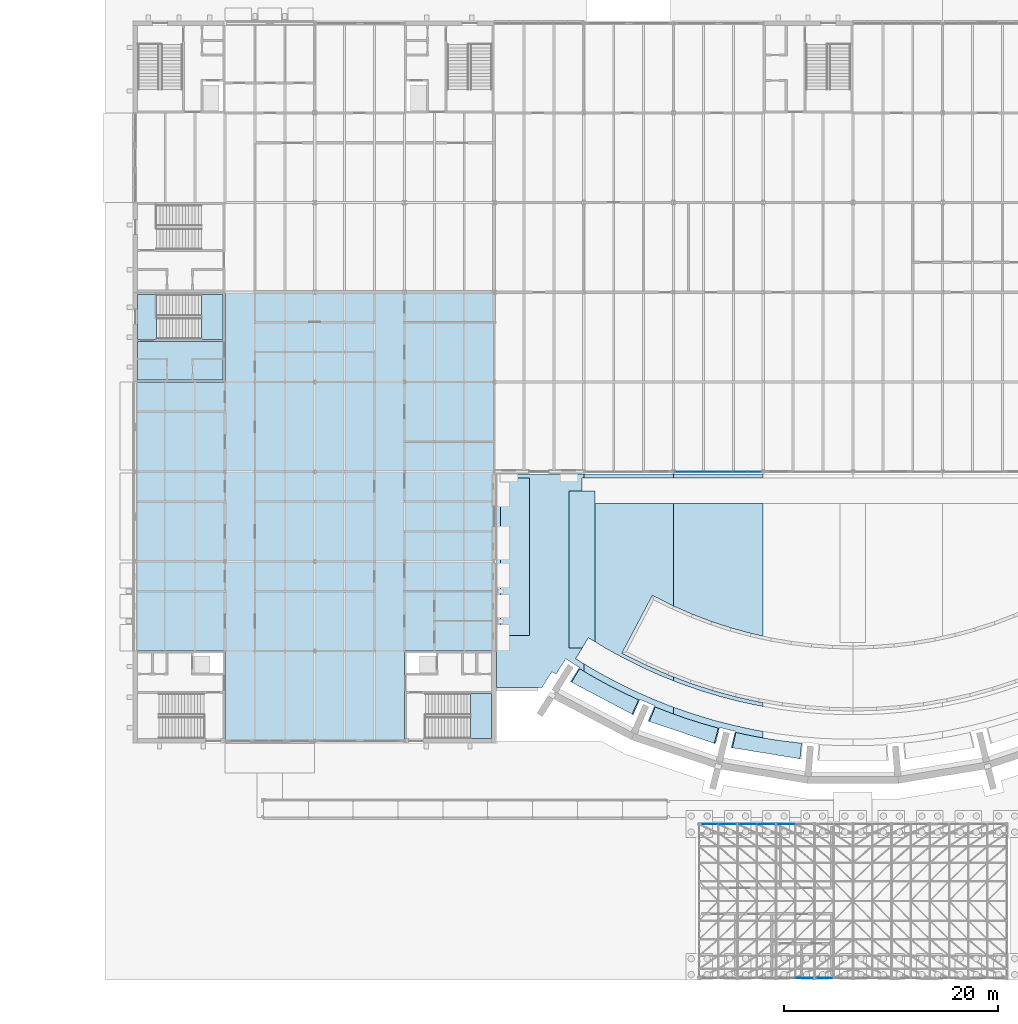
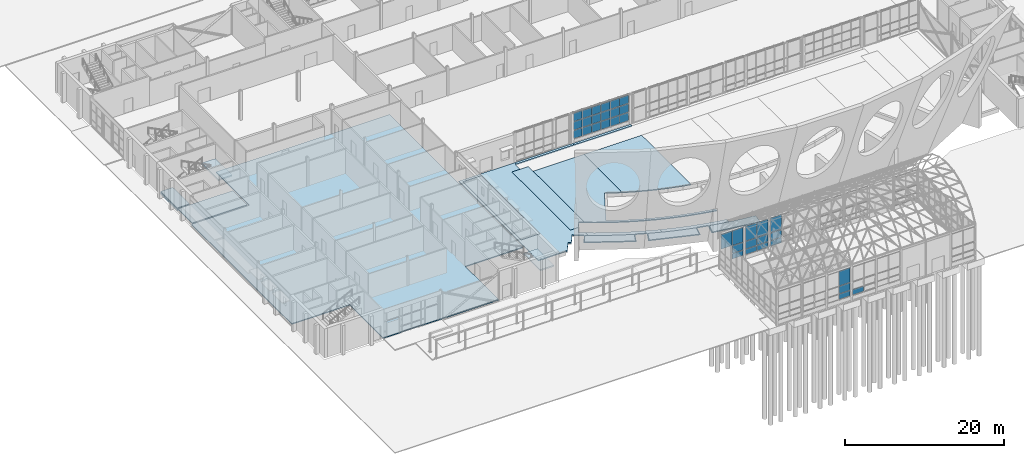
# One storey, part 72 of 116: 35 plates, 19 slabs, 8 elements without a shape of their own.
"""IFC4 building model written with IfcOpenShell, lengths in metres."""

from ifc_helpers import new_model, si_unit, direction, frame, origin, origin_2d, place, context, subcontext, project, spatial, polyline, rectangle, outline, extrude, material, layer, layer_set, type_object, element, aggregate, save


model = new_model("IFC4")

# Units and contexts
model_context = context("Model", 3, precision=1e-05, world=origin(), true_north=direction((0.0, 1.0)))
body_context = subcontext(model_context, "Body", "Model", "MODEL_VIEW")
ifc_project = project(units=[si_unit("LENGTHUNIT", "METRE"), si_unit("AREAUNIT", "SQUARE_METRE"), si_unit("VOLUMEUNIT", "CUBIC_METRE"), si_unit("PLANEANGLEUNIT", "RADIAN"), si_unit("MASSUNIT", "GRAM", prefix="KILO")], contexts=[model_context])

# Site, building, storey
site_placement = place(None, origin())
site = spatial("IfcSite", under=ifc_project, at=site_placement, CompositionType="ELEMENT")
building_placement = place(site_placement, origin())
building = spatial("IfcBuilding", under=site, at=building_placement, Name="Ardhachandra Cancer Care Centre", CompositionType="ELEMENT")
storey_placement = place(building_placement, origin())
storey = spatial("IfcBuildingStorey", under=building, at=storey_placement, Name="L00", CompositionType="ELEMENT", Elevation=0.0)

# Slabs
ifc_material_1 = material(Name="Composite slab Concrete M30 on steel deck", Category="concrete")
ifc_layer_1 = layer(ifc_material_1, 0.14990234375)
ifc_layer_set_1 = layer_set([ifc_layer_1], Name="Composite slab Concrete M30 on steel deck")
slab_type_1 = type_object("IfcSlabType", Name="Composite floor slab 150", PredefinedType="FLOOR", material=ifc_layer_set_1)
slab_1_placement = place(storey_placement, frame((0.0, 0.0, -0.14990234375)))
element("IfcSlab", 1, at=slab_1_placement, inside=storey, type_object=slab_type_1, Name="Floor slab V2", PredefinedType="FLOOR", context=body_context, shape_type="SweptSolid", body=[
    extrude(outline(polyline([(19.199951171875, 71.39990234375), (19.199951171875, 63.0), (10.800048828125, 63.0), (10.800048828125, 37.800048828125), (19.199951171875, 37.800048828125), (19.199951171875, 29.39990234375), (36.0, 29.39990234375), (36.0, 37.800048828125), (44.39990234375, 37.800048828125), (44.39990234375, 71.39990234375), (19.199951171875, 71.39990234375)])), origin(), (0.0, 0.0, 1.0), 0.14990234375),
])
ifc_material_2 = material(Name="Concrete M40", Category="concrete")
ifc_layer_2 = layer(ifc_material_2, 0.14990234375)
ifc_layer_set_2 = layer_set([ifc_layer_2], Name="Concrete M40")
slab_type_2 = type_object("IfcSlabType", Name="Core floor slab 150", PredefinedType="FLOOR", material=ifc_layer_set_2)
slab_2_placement = place(storey_placement, frame((0.0, 0.0, -0.14990234375)))
element("IfcSlab", 2, at=slab_2_placement, inside=storey, type_object=slab_type_2, Name="Core floor slab K3 L00 1", PredefinedType="FLOOR", context=body_context, shape_type="SweptSolid", body=[
    extrude(outline(polyline([(12.800048828125, 71.199951171875), (12.800048828125, 67.0), (11.02490234375, 67.0), (11.02490234375, 71.199951171875), (12.800048828125, 71.199951171875)])), origin(), (0.0, 0.0, 1.0), 0.14990234375),
])
slab_3_placement = place(storey_placement, frame((0.0, 0.0, -0.14990234375)))
element("IfcSlab", 3, at=slab_3_placement, inside=storey, type_object=slab_type_2, Name="Core floor slab K3 L00 2", PredefinedType="FLOOR", context=body_context, shape_type="SweptSolid", body=[
    extrude(outline(polyline([(11.02490234375, 66.800048828125), (19.0, 66.800048828125), (19.0, 63.199951171875), (11.02490234375, 63.199951171875), (11.02490234375, 66.800048828125)])), origin(), (0.0, 0.0, 1.0), 0.14990234375),
])
ifc_material_3 = material(Name="Concrete M40", Category="concrete")
ifc_layer_3 = layer(ifc_material_3, 0.300048828125)
ifc_layer_set_3 = layer_set([ifc_layer_3], Name="Concrete M40")
slab_type_3 = type_object("IfcSlabType", Name="Core stair edge slab 300", PredefinedType="FLOOR", material=ifc_layer_set_3)
slab_4_placement = place(storey_placement, frame((0.0, 0.0, -0.449951171875)))
element("IfcSlab", 4, at=slab_4_placement, inside=storey, type_object=slab_type_3, Name="Core stair edge slab K3 L00", PredefinedType="FLOOR", context=body_context, shape_type="SweptSolid", body=[
    extrude(outline(polyline([(12.800048828125, 67.0), (11.02490234375, 67.0), (11.02490234375, 71.199951171875), (12.800048828125, 71.199951171875), (12.800048828125, 67.0)])), origin(), (0.0, 0.0, 1.0), 0.300048828125),
])

# Curtain wall, plates
ifc_material_4 = material(Name="Aluminium extrusion", Category="aluminium")
ifc_layer_4 = layer(ifc_material_4, 0.14990234375)
ifc_layer_set_4 = layer_set([ifc_layer_4], Name="Aluminium extrusion")
curtain_wall_type = type_object("IfcCurtainWallType", Name="Curtain wall run", PredefinedType="NOTDEFINED", material=ifc_layer_set_4)
curtain_wall_1_placement = place(storey_placement, origin())
curtain_wall_1 = element("IfcCurtainWall", 5, at=curtain_wall_1_placement, inside=storey, type_object=curtain_wall_type, Name="Curtain wall L00 s/0061200_0054600", PredefinedType="NOTDEFINED")
ifc_material_5 = material(Name="Low-iron double-glazed unit")
ifc_layer_5 = layer(ifc_material_5, 0.028076171875)
ifc_layer_set_5 = layer_set([ifc_layer_5], Name="Low-iron double-glazed unit")
plate_type_1 = type_object("IfcPlateType", Name="Curtain wall glazing 28", PredefinedType="CURTAIN_PANEL", material=ifc_layer_set_5)
plate_1_placement = place(storey_placement, frame((62.0400390625, 54.60009765625, 0.509765625), z_axis=(0.0, 0.0, 1.0), x_axis=(1.0, 0.0, 0.0)))
plate_1 = element("IfcPlate", 6, at=plate_1_placement, type_object=plate_type_1, Name="CW panel 1.1", PredefinedType="CURTAIN_PANEL", context=body_context, shape_type="SweptSolid", body=[
    extrude(rectangle(XDim=1.260009765625, YDim=0.028076171875, at=origin_2d()), origin(), (0.0, 0.0, 1.0), 1.260009765625),
])
plate_2_placement = place(storey_placement, frame((62.0400390625, 54.60009765625, 1.830078125), z_axis=(0.0, 0.0, 1.0), x_axis=(1.0, 0.0, 0.0)))
plate_2 = element("IfcPlate", 7, at=plate_2_placement, type_object=plate_type_1, Name="CW panel 1.2", PredefinedType="CURTAIN_PANEL", context=body_context, shape_type="SweptSolid", body=[
    extrude(rectangle(XDim=1.260009765625, YDim=0.028076171875, at=origin_2d()), origin(), (0.0, 0.0, 1.0), 1.2900390625),
])
plate_3_placement = place(storey_placement, frame((62.0400390625, 54.60009765625, 3.18017578125), z_axis=(0.0, 0.0, 1.0), x_axis=(1.0, 0.0, 0.0)))
plate_3 = element("IfcPlate", 8, at=plate_3_placement, type_object=plate_type_1, Name="CW panel 1.3", PredefinedType="CURTAIN_PANEL", context=body_context, shape_type="SweptSolid", body=[
    extrude(rectangle(XDim=1.260009765625, YDim=0.028076171875, at=origin_2d()), origin(), (0.0, 0.0, 1.0), 1.260009765625),
])
plate_4_placement = place(storey_placement, frame((63.375, 54.60009765625, 0.509765625), z_axis=(0.0, 0.0, 1.0), x_axis=(1.0, 0.0, 0.0)))
plate_4 = element("IfcPlate", 9, at=plate_4_placement, type_object=plate_type_1, Name="CW panel 2.1", PredefinedType="CURTAIN_PANEL", context=body_context, shape_type="SweptSolid", body=[
    extrude(rectangle(XDim=1.2900390625, YDim=0.028076171875, at=origin_2d()), origin(), (0.0, 0.0, 1.0), 1.260009765625),
])
plate_5_placement = place(storey_placement, frame((63.375, 54.60009765625, 1.830078125), z_axis=(0.0, 0.0, 1.0), x_axis=(1.0, 0.0, 0.0)))
plate_5 = element("IfcPlate", 10, at=plate_5_placement, type_object=plate_type_1, Name="CW panel 2.2", PredefinedType="CURTAIN_PANEL", context=body_context, shape_type="SweptSolid", body=[
    extrude(rectangle(XDim=1.2900390625, YDim=0.028076171875, at=origin_2d()), origin(), (0.0, 0.0, 1.0), 1.2900390625),
])
plate_6_placement = place(storey_placement, frame((63.375, 54.60009765625, 3.18017578125), z_axis=(0.0, 0.0, 1.0), x_axis=(1.0, 0.0, 0.0)))
plate_6 = element("IfcPlate", 11, at=plate_6_placement, type_object=plate_type_1, Name="CW panel 2.3", PredefinedType="CURTAIN_PANEL", context=body_context, shape_type="SweptSolid", body=[
    extrude(rectangle(XDim=1.2900390625, YDim=0.028076171875, at=origin_2d()), origin(), (0.0, 0.0, 1.0), 1.260009765625),
])
plate_7_placement = place(storey_placement, frame((64.72509765625, 54.60009765625, 0.509765625), z_axis=(0.0, 0.0, 1.0), x_axis=(1.0, 0.0, 0.0)))
plate_7 = element("IfcPlate", 12, at=plate_7_placement, type_object=plate_type_1, Name="CW panel 3.1", PredefinedType="CURTAIN_PANEL", context=body_context, shape_type="SweptSolid", body=[
    extrude(rectangle(XDim=1.2900390625, YDim=0.028076171875, at=origin_2d()), origin(), (0.0, 0.0, 1.0), 1.260009765625),
])
plate_8_placement = place(storey_placement, frame((64.72509765625, 54.60009765625, 1.830078125), z_axis=(0.0, 0.0, 1.0), x_axis=(1.0, 0.0, 0.0)))
plate_8 = element("IfcPlate", 13, at=plate_8_placement, type_object=plate_type_1, Name="CW panel 3.2", PredefinedType="CURTAIN_PANEL", context=body_context, shape_type="SweptSolid", body=[
    extrude(rectangle(XDim=1.2900390625, YDim=0.028076171875, at=origin_2d()), origin(), (0.0, 0.0, 1.0), 1.2900390625),
])
plate_9_placement = place(storey_placement, frame((64.72509765625, 54.60009765625, 3.18017578125), z_axis=(0.0, 0.0, 1.0), x_axis=(1.0, 0.0, 0.0)))
plate_9 = element("IfcPlate", 14, at=plate_9_placement, type_object=plate_type_1, Name="CW panel 3.3", PredefinedType="CURTAIN_PANEL", context=body_context, shape_type="SweptSolid", body=[
    extrude(rectangle(XDim=1.2900390625, YDim=0.028076171875, at=origin_2d()), origin(), (0.0, 0.0, 1.0), 1.260009765625),
])
plate_10_placement = place(storey_placement, frame((66.074951171875, 54.60009765625, 0.509765625), z_axis=(0.0, 0.0, 1.0), x_axis=(1.0, 0.0, 0.0)))
plate_10 = element("IfcPlate", 15, at=plate_10_placement, type_object=plate_type_1, Name="CW panel 4.1", PredefinedType="CURTAIN_PANEL", context=body_context, shape_type="SweptSolid", body=[
    extrude(rectangle(XDim=1.2900390625, YDim=0.028076171875, at=origin_2d()), origin(), (0.0, 0.0, 1.0), 1.260009765625),
])
plate_11_placement = place(storey_placement, frame((66.074951171875, 54.60009765625, 1.830078125), z_axis=(0.0, 0.0, 1.0), x_axis=(1.0, 0.0, 0.0)))
plate_11 = element("IfcPlate", 16, at=plate_11_placement, type_object=plate_type_1, Name="CW panel 4.2", PredefinedType="CURTAIN_PANEL", context=body_context, shape_type="SweptSolid", body=[
    extrude(rectangle(XDim=1.2900390625, YDim=0.028076171875, at=origin_2d()), origin(), (0.0, 0.0, 1.0), 1.2900390625),
])
plate_12_placement = place(storey_placement, frame((66.074951171875, 54.60009765625, 3.18017578125), z_axis=(0.0, 0.0, 1.0), x_axis=(1.0, 0.0, 0.0)))
plate_12 = element("IfcPlate", 17, at=plate_12_placement, type_object=plate_type_1, Name="CW panel 4.3", PredefinedType="CURTAIN_PANEL", context=body_context, shape_type="SweptSolid", body=[
    extrude(rectangle(XDim=1.2900390625, YDim=0.028076171875, at=origin_2d()), origin(), (0.0, 0.0, 1.0), 1.260009765625),
])
plate_13_placement = place(storey_placement, frame((67.425048828125, 54.60009765625, 0.509765625), z_axis=(0.0, 0.0, 1.0), x_axis=(1.0, 0.0, 0.0)))
plate_13 = element("IfcPlate", 18, at=plate_13_placement, type_object=plate_type_1, Name="CW panel 5.1", PredefinedType="CURTAIN_PANEL", context=body_context, shape_type="SweptSolid", body=[
    extrude(rectangle(XDim=1.2900390625, YDim=0.028076171875, at=origin_2d()), origin(), (0.0, 0.0, 1.0), 1.260009765625),
])
plate_14_placement = place(storey_placement, frame((67.425048828125, 54.60009765625, 1.830078125), z_axis=(0.0, 0.0, 1.0), x_axis=(1.0, 0.0, 0.0)))
plate_14 = element("IfcPlate", 19, at=plate_14_placement, type_object=plate_type_1, Name="CW panel 5.2", PredefinedType="CURTAIN_PANEL", context=body_context, shape_type="SweptSolid", body=[
    extrude(rectangle(XDim=1.2900390625, YDim=0.028076171875, at=origin_2d()), origin(), (0.0, 0.0, 1.0), 1.2900390625),
])
plate_15_placement = place(storey_placement, frame((67.425048828125, 54.60009765625, 3.18017578125), z_axis=(0.0, 0.0, 1.0), x_axis=(1.0, 0.0, 0.0)))
plate_15 = element("IfcPlate", 20, at=plate_15_placement, type_object=plate_type_1, Name="CW panel 5.3", PredefinedType="CURTAIN_PANEL", context=body_context, shape_type="SweptSolid", body=[
    extrude(rectangle(XDim=1.2900390625, YDim=0.028076171875, at=origin_2d()), origin(), (0.0, 0.0, 1.0), 1.260009765625),
])
plate_16_placement = place(storey_placement, frame((68.760009765625, 54.60009765625, 0.509765625), z_axis=(0.0, 0.0, 1.0), x_axis=(1.0, 0.0, 0.0)))
plate_16 = element("IfcPlate", 21, at=plate_16_placement, type_object=plate_type_1, Name="CW panel 6.1", PredefinedType="CURTAIN_PANEL", context=body_context, shape_type="SweptSolid", body=[
    extrude(rectangle(XDim=1.260009765625, YDim=0.028076171875, at=origin_2d()), origin(), (0.0, 0.0, 1.0), 1.260009765625),
])
plate_17_placement = place(storey_placement, frame((68.760009765625, 54.60009765625, 1.830078125), z_axis=(0.0, 0.0, 1.0), x_axis=(1.0, 0.0, 0.0)))
plate_17 = element("IfcPlate", 22, at=plate_17_placement, type_object=plate_type_1, Name="CW panel 6.2", PredefinedType="CURTAIN_PANEL", context=body_context, shape_type="SweptSolid", body=[
    extrude(rectangle(XDim=1.260009765625, YDim=0.028076171875, at=origin_2d()), origin(), (0.0, 0.0, 1.0), 1.2900390625),
])
plate_18_placement = place(storey_placement, frame((68.760009765625, 54.60009765625, 3.18017578125), z_axis=(0.0, 0.0, 1.0), x_axis=(1.0, 0.0, 0.0)))
plate_18 = element("IfcPlate", 23, at=plate_18_placement, type_object=plate_type_1, Name="CW panel 6.3", PredefinedType="CURTAIN_PANEL", context=body_context, shape_type="SweptSolid", body=[
    extrude(rectangle(XDim=1.260009765625, YDim=0.028076171875, at=origin_2d()), origin(), (0.0, 0.0, 1.0), 1.260009765625),
])
aggregate(curtain_wall_1, [plate_1, plate_2, plate_3, plate_4, plate_5, plate_6, plate_7, plate_8, plate_9, plate_10, plate_11, plate_12, plate_13, plate_14, plate_15, plate_16, plate_17, plate_18])

curtain_wall_2_placement = place(storey_placement, origin())
curtain_wall_2 = element("IfcCurtainWall", 24, at=curtain_wall_2_placement, inside=storey, type_object=curtain_wall_type, Name="Curtain wall L00 n/0063600_0021600", PredefinedType="NOTDEFINED")
plate_19_placement = place(storey_placement, frame((64.572509765625, 21.60009765625, 2.72998046875), z_axis=(0.0, 0.0, 1.0), x_axis=(1.0, 0.0, 0.0)))
plate_19 = element("IfcPlate", 25, at=plate_19_placement, type_object=plate_type_1, Name="CW panel 1.3", PredefinedType="CURTAIN_PANEL", context=body_context, shape_type="SweptSolid", body=[
    extrude(rectangle(XDim=1.594970703125, YDim=0.028076171875, at=origin_2d()), origin(), (0.0, 0.0, 1.0), 2.260009765625),
])
plate_20_placement = place(storey_placement, frame((66.2275390625, 21.60009765625, 1.5302734375), z_axis=(0.0, 0.0, 1.0), x_axis=(1.0, 0.0, 0.0)))
plate_20 = element("IfcPlate", 26, at=plate_20_placement, type_object=plate_type_1, Name="CW panel 2.2", PredefinedType="CURTAIN_PANEL", context=body_context, shape_type="SweptSolid", body=[
    extrude(rectangle(XDim=1.594970703125, YDim=0.028076171875, at=origin_2d()), origin(), (0.0, 0.0, 1.0), 1.139892578125),
])
plate_21_placement = place(storey_placement, frame((66.2275390625, 21.60009765625, 2.72998046875), z_axis=(0.0, 0.0, 1.0), x_axis=(1.0, 0.0, 0.0)))
plate_21 = element("IfcPlate", 27, at=plate_21_placement, type_object=plate_type_1, Name="CW panel 2.3", PredefinedType="CURTAIN_PANEL", context=body_context, shape_type="SweptSolid", body=[
    extrude(rectangle(XDim=1.594970703125, YDim=0.028076171875, at=origin_2d()), origin(), (0.0, 0.0, 1.0), 2.260009765625),
])

curtain_wall_3_placement = place(storey_placement, origin())
curtain_wall_3 = element("IfcCurtainWall", 28, at=curtain_wall_3_placement, inside=storey, type_object=curtain_wall_type, Name="Curtain wall L00 n/0067200_0021600", PredefinedType="NOTDEFINED")
plate_22_placement = place(storey_placement, frame((68.172607421875, 21.60009765625, 1.5302734375), z_axis=(0.0, 0.0, 1.0), x_axis=(1.0, 0.0, 0.0)))
plate_22 = element("IfcPlate", 29, at=plate_22_placement, type_object=plate_type_1, Name="CW panel 1.2", PredefinedType="CURTAIN_PANEL", context=body_context, shape_type="SweptSolid", body=[
    extrude(rectangle(XDim=1.594970703125, YDim=0.028076171875, at=origin_2d()), origin(), (0.0, 0.0, 1.0), 1.139892578125),
])
plate_23_placement = place(storey_placement, frame((68.172607421875, 21.60009765625, 2.72998046875), z_axis=(0.0, 0.0, 1.0), x_axis=(1.0, 0.0, 0.0)))
plate_23 = element("IfcPlate", 30, at=plate_23_placement, type_object=plate_type_1, Name="CW panel 1.3", PredefinedType="CURTAIN_PANEL", context=body_context, shape_type="SweptSolid", body=[
    extrude(rectangle(XDim=1.594970703125, YDim=0.028076171875, at=origin_2d()), origin(), (0.0, 0.0, 1.0), 2.260009765625),
])
plate_24_placement = place(storey_placement, frame((69.827392578125, 21.60009765625, 1.5302734375), z_axis=(0.0, 0.0, 1.0), x_axis=(1.0, 0.0, 0.0)))
plate_24 = element("IfcPlate", 31, at=plate_24_placement, type_object=plate_type_1, Name="CW panel 2.2", PredefinedType="CURTAIN_PANEL", context=body_context, shape_type="SweptSolid", body=[
    extrude(rectangle(XDim=1.594970703125, YDim=0.028076171875, at=origin_2d()), origin(), (0.0, 0.0, 1.0), 1.139892578125),
])
plate_25_placement = place(storey_placement, frame((69.827392578125, 21.60009765625, 2.72998046875), z_axis=(0.0, 0.0, 1.0), x_axis=(1.0, 0.0, 0.0)))
plate_25 = element("IfcPlate", 32, at=plate_25_placement, type_object=plate_type_1, Name="CW panel 2.3", PredefinedType="CURTAIN_PANEL", context=body_context, shape_type="SweptSolid", body=[
    extrude(rectangle(XDim=1.594970703125, YDim=0.028076171875, at=origin_2d()), origin(), (0.0, 0.0, 1.0), 2.260009765625),
])

curtain_wall_4_placement = place(storey_placement, origin())
curtain_wall_4 = element("IfcCurtainWall", 33, at=curtain_wall_4_placement, inside=storey, type_object=curtain_wall_type, Name="Curtain wall L00 n/0070800_0021600", PredefinedType="NOTDEFINED")
plate_26_placement = place(storey_placement, frame((71.7724609375, 21.60009765625, 1.5302734375), z_axis=(0.0, 0.0, 1.0), x_axis=(1.0, 0.0, 0.0)))
plate_26 = element("IfcPlate", 34, at=plate_26_placement, type_object=plate_type_1, Name="CW panel 1.2", PredefinedType="CURTAIN_PANEL", context=body_context, shape_type="SweptSolid", body=[
    extrude(rectangle(XDim=1.594970703125, YDim=0.028076171875, at=origin_2d()), origin(), (0.0, 0.0, 1.0), 1.139892578125),
])
plate_27_placement = place(storey_placement, frame((71.7724609375, 21.60009765625, 2.72998046875), z_axis=(0.0, 0.0, 1.0), x_axis=(1.0, 0.0, 0.0)))
plate_27 = element("IfcPlate", 35, at=plate_27_placement, type_object=plate_type_1, Name="CW panel 1.3", PredefinedType="CURTAIN_PANEL", context=body_context, shape_type="SweptSolid", body=[
    extrude(rectangle(XDim=1.594970703125, YDim=0.028076171875, at=origin_2d()), origin(), (0.0, 0.0, 1.0), 2.260009765625),
])

curtain_wall_5_placement = place(storey_placement, origin())
curtain_wall_5 = element("IfcCurtainWall", 36, at=curtain_wall_5_placement, inside=storey, type_object=curtain_wall_type, Name="Curtain wall L00 s/0070800_0007200", PredefinedType="NOTDEFINED")
ifc_material_6 = material(Name="Aluminium composite spandrel panel", Category="aluminium")
ifc_layer_6 = layer(ifc_material_6, 0.028076171875)
ifc_layer_set_6 = layer_set([ifc_layer_6], Name="Aluminium composite spandrel panel")
plate_type_2 = type_object("IfcPlateType", Name="Curtain wall spandrel panel 28", PredefinedType="CURTAIN_PANEL", material=ifc_layer_set_6)
plate_28_placement = place(storey_placement, frame((73.427490234375, 7.199951171875, 0.659912109375), z_axis=(0.0, 0.0, 1.0), x_axis=(1.0, 0.0, 0.0)))
plate_28 = element("IfcPlate", 37, at=plate_28_placement, type_object=plate_type_2, Name="CW panel 2.1", PredefinedType="CURTAIN_PANEL", context=body_context, shape_type="SweptSolid", body=[
    extrude(rectangle(XDim=1.594970703125, YDim=0.028076171875, at=origin_2d()), origin(), (0.0, 0.0, 1.0), 0.81005859375),
])
plate_29_placement = place(storey_placement, frame((73.427490234375, 7.199951171875, 1.5302734375), z_axis=(0.0, 0.0, 1.0), x_axis=(1.0, 0.0, 0.0)))
plate_29 = element("IfcPlate", 38, at=plate_29_placement, type_object=plate_type_2, Name="CW panel 2.2", PredefinedType="CURTAIN_PANEL", context=body_context, shape_type="SweptSolid", body=[
    extrude(rectangle(XDim=1.594970703125, YDim=0.028076171875, at=origin_2d()), origin(), (0.0, 0.0, 1.0), 1.139892578125),
])
plate_30_placement = place(storey_placement, frame((73.427490234375, 7.199951171875, 2.72998046875), z_axis=(0.0, 0.0, 1.0), x_axis=(1.0, 0.0, 0.0)))
plate_30 = element("IfcPlate", 39, at=plate_30_placement, type_object=plate_type_2, Name="CW panel 2.3", PredefinedType="CURTAIN_PANEL", context=body_context, shape_type="SweptSolid", body=[
    extrude(rectangle(XDim=1.594970703125, YDim=0.028076171875, at=origin_2d()), origin(), (0.0, 0.0, 1.0), 2.260009765625),
])
aggregate(curtain_wall_5, [plate_28, plate_29, plate_30])

# Curtain wall, plate
curtain_wall_6_placement = place(storey_placement, origin())
curtain_wall_6 = element("IfcCurtainWall", 40, at=curtain_wall_6_placement, inside=storey, type_object=curtain_wall_type, Name="Curtain wall L00 s/0074400_0007200", PredefinedType="NOTDEFINED")
plate_31_placement = place(storey_placement, frame((75.37255859375, 7.199951171875, 0.659912109375), z_axis=(0.0, 0.0, 1.0), x_axis=(1.0, 0.0, 0.0)))
plate_31 = element("IfcPlate", 41, at=plate_31_placement, type_object=plate_type_2, Name="CW panel 1.1", PredefinedType="CURTAIN_PANEL", context=body_context, shape_type="SweptSolid", body=[
    extrude(rectangle(XDim=1.594970703125, YDim=0.028076171875, at=origin_2d()), origin(), (0.0, 0.0, 1.0), 0.81005859375),
])
aggregate(curtain_wall_6, [plate_31])

# Plate
plate_32_placement = place(storey_placement, frame((66.2275390625, 21.60009765625, 0.659912109375), z_axis=(0.0, 0.0, 1.0), x_axis=(1.0, 0.0, 0.0)))
plate_32 = element("IfcPlate", 42, at=plate_32_placement, type_object=plate_type_2, Name="CW panel 2.1", PredefinedType="CURTAIN_PANEL", context=body_context, shape_type="SweptSolid", body=[
    extrude(rectangle(XDim=1.594970703125, YDim=0.028076171875, at=origin_2d()), origin(), (0.0, 0.0, 1.0), 0.81005859375),
])

aggregate(curtain_wall_2, [plate_19, plate_32, plate_20, plate_21])

plate_33_placement = place(storey_placement, frame((68.172607421875, 21.60009765625, 0.659912109375), z_axis=(0.0, 0.0, 1.0), x_axis=(1.0, 0.0, 0.0)))
plate_33 = element("IfcPlate", 43, at=plate_33_placement, type_object=plate_type_2, Name="CW panel 1.1", PredefinedType="CURTAIN_PANEL", context=body_context, shape_type="SweptSolid", body=[
    extrude(rectangle(XDim=1.594970703125, YDim=0.028076171875, at=origin_2d()), origin(), (0.0, 0.0, 1.0), 0.81005859375),
])

plate_34_placement = place(storey_placement, frame((69.827392578125, 21.60009765625, 0.659912109375), z_axis=(0.0, 0.0, 1.0), x_axis=(1.0, 0.0, 0.0)))
plate_34 = element("IfcPlate", 44, at=plate_34_placement, type_object=plate_type_2, Name="CW panel 2.1", PredefinedType="CURTAIN_PANEL", context=body_context, shape_type="SweptSolid", body=[
    extrude(rectangle(XDim=1.594970703125, YDim=0.028076171875, at=origin_2d()), origin(), (0.0, 0.0, 1.0), 0.81005859375),
])

aggregate(curtain_wall_3, [plate_33, plate_22, plate_23, plate_34, plate_24, plate_25])

plate_35_placement = place(storey_placement, frame((71.7724609375, 21.60009765625, 0.659912109375), z_axis=(0.0, 0.0, 1.0), x_axis=(1.0, 0.0, 0.0)))
plate_35 = element("IfcPlate", 45, at=plate_35_placement, type_object=plate_type_2, Name="CW panel 1.1", PredefinedType="CURTAIN_PANEL", context=body_context, shape_type="SweptSolid", body=[
    extrude(rectangle(XDim=1.594970703125, YDim=0.028076171875, at=origin_2d()), origin(), (0.0, 0.0, 1.0), 0.81005859375),
])

aggregate(curtain_wall_4, [plate_35, plate_26, plate_27])

# Slabs
ifc_material_7 = material(Name="Granite", Category="masonry")
ifc_layer_7 = layer(ifc_material_7, 0.14990234375)
ifc_layer_set_7 = layer_set([ifc_layer_7], Name="Granite")
slab_type_4 = type_object("IfcSlabType", Name="Granite court paving 150", PredefinedType="BASESLAB", material=ifc_layer_set_7)
slab_5_placement = place(storey_placement, frame((0.0, 0.0, -0.14990234375)))
element("IfcSlab", 46, at=slab_5_placement, inside=storey, type_object=slab_type_4, Name="Court paving 1", PredefinedType="BASESLAB", context=body_context, shape_type="SweptSolid", body=[
    extrude(outline(polyline([(52.4111328125, 36.140869140625), (52.800048828125, 35.91162109375), (52.800048828125, 36.61865234375), (52.03271484375, 37.083740234375), (52.629150390625, 38.067138671875), (51.428955078125, 38.067138671875), (51.428955078125, 52.800048828125), (52.629150390625, 52.800048828125), (52.629150390625, 54.0), (52.800048828125, 54.0), (52.800048828125, 54.375), (44.625, 54.375), (44.625, 34.379638671875), (48.869140625, 34.379638671875), (49.80615234375, 35.8544921875), (50.201904296875, 35.645751953125), (51.105712890625, 37.068359375), (52.371826171875, 36.263916015625), (51.533203125, 34.94384765625), (51.643798828125, 34.8857421875), (52.4111328125, 36.140869140625)]), holes=[polyline([(45.0, 54.0), (45.0, 39.26708984375), (47.699951171875, 39.26708984375), (47.699951171875, 54.0), (45.0, 54.0)])]), origin(), (0.0, 0.0, 1.0), 0.14990234375),
])
slab_6_placement = place(storey_placement, frame((0.0, 0.0, -0.14990234375)))
element("IfcSlab", 47, at=slab_6_placement, inside=storey, type_object=slab_type_4, Name="Court paving 2", PredefinedType="BASESLAB", context=body_context, shape_type="SweptSolid", body=[
    extrude(outline(polyline([(60.9375, 32.001708984375), (61.199951171875, 31.9091796875), (61.199951171875, 32.54638671875), (61.115966796875, 32.575927734375), (61.07080078125, 32.592529296875), (59.226806640625, 33.323486328125), (59.182373046875, 33.342041015625), (57.370849609375, 34.1494140625), (57.3271484375, 34.170166015625), (55.551025390625, 35.052734375), (55.50830078125, 35.074951171875), (53.7705078125, 36.031494140625), (53.728759765625, 36.055419921875), (52.800048828125, 36.61865234375), (52.800048828125, 35.91162109375), (53.75390625, 35.34912109375), (55.12109375, 34.600341796875), (56.511474609375, 33.8955078125), (57.923583984375, 33.235107421875), (57.321533203125, 31.892578125), (57.43212890625, 31.834228515625), (58.047119140625, 33.27197265625), (59.42626953125, 32.681884765625), (58.81103515625, 31.244384765625), (61.199951171875, 30.443603515625), (58.9296875, 31.20458984375), (59.48486328125, 32.567138671875), (60.9375, 32.001708984375)])), origin(), (0.0, 0.0, 1.0), 0.14990234375),
])
slab_7_placement = place(storey_placement, frame((0.0, 0.0, -0.14990234375)))
element("IfcSlab", 48, at=slab_7_placement, inside=storey, type_object=slab_type_4, Name="Court paving 3", PredefinedType="BASESLAB", context=body_context, shape_type="SweptSolid", body=[
    extrude(outline(polyline([(61.199951171875, 54.375), (52.800048828125, 54.375), (52.800048828125, 54.0), (61.199951171875, 54.0), (61.199951171875, 54.375)])), origin(), (0.0, 0.0, 1.0), 0.14990234375),
])
slab_8_placement = place(storey_placement, frame((0.0, 0.0, -0.14990234375)))
element("IfcSlab", 49, at=slab_8_placement, inside=storey, type_object=slab_type_4, Name="Court paving 4", PredefinedType="BASESLAB", context=body_context, shape_type="SweptSolid", body=[
    extrude(outline(polyline([(60.0966796875, 35.45263671875), (61.199951171875, 35.015380859375), (61.199951171875, 35.391845703125), (60.6630859375, 35.59619140625), (58.627197265625, 36.487060546875), (56.367919921875, 37.608642578125), (59.212646484375, 43.005126953125), (61.199951171875, 42.018310546875), (61.199951171875, 51.60009765625), (53.8291015625, 51.60009765625), (53.8291015625, 38.6845703125), (54.900634765625, 38.03466796875), (56.595947265625, 37.101806640625), (58.3291015625, 36.240478515625), (60.0966796875, 35.45263671875)])), origin(), (0.0, 0.0, 1.0), 0.14990234375),
])
slab_9_placement = place(storey_placement, frame((0.0, 0.0, -0.14990234375)))
element("IfcSlab", 50, at=slab_9_placement, inside=storey, type_object=slab_type_4, Name="Court paving 5", PredefinedType="BASESLAB", context=body_context, shape_type="SweptSolid", body=[
    extrude(outline(polyline([(69.342529296875, 32.658447265625), (69.60009765625, 32.614990234375), (69.60009765625, 32.974365234375), (69.165771484375, 33.048828125), (66.99609375, 33.5302734375), (64.8525390625, 34.1162109375), (62.739990234375, 34.805419921875), (61.199951171875, 35.391845703125), (61.199951171875, 35.015380859375), (61.895751953125, 34.73974609375), (63.72314453125, 34.102783203125), (65.575439453125, 33.54296875), (67.44970703125, 33.061279296875), (69.342529296875, 32.658447265625)])), origin(), (0.0, 0.0, 1.0), 0.14990234375),
])
slab_10_placement = place(storey_placement, frame((0.0, 0.0, -0.14990234375)))
element("IfcSlab", 51, at=slab_10_placement, inside=storey, type_object=slab_type_4, Name="Court paving 6", PredefinedType="BASESLAB", context=body_context, shape_type="SweptSolid", body=[
    extrude(outline(polyline([(68.56640625, 29.854736328125), (69.60009765625, 29.669189453125), (69.60009765625, 30.2822265625), (68.934814453125, 30.394775390625), (68.887451171875, 30.40380859375), (66.947509765625, 30.816650390625), (66.900634765625, 30.82763671875), (64.979736328125, 31.3212890625), (64.93310546875, 31.334228515625), (63.03466796875, 31.907958984375), (62.98876953125, 31.9228515625), (61.199951171875, 32.54638671875), (61.199951171875, 31.9091796875), (62.407470703125, 31.48291015625), (63.89306640625, 31.010986328125), (65.39306640625, 30.586669921875), (65.01513671875, 29.164794921875), (65.133544921875, 29.125), (65.50927734375, 30.64306640625), (66.96533203125, 30.28271484375), (66.589599609375, 28.7646484375), (69.60009765625, 28.273681640625), (66.712890625, 28.74462890625), (67.04150390625, 30.1787109375), (68.56640625, 29.854736328125)])), origin(), (0.0, 0.0, 1.0), 0.14990234375),
])
slab_11_placement = place(storey_placement, frame((0.0, 0.0, -0.14990234375)))
element("IfcSlab", 52, at=slab_11_placement, inside=storey, type_object=slab_type_4, Name="Court paving 7", PredefinedType="BASESLAB", context=body_context, shape_type="SweptSolid", body=[
    extrude(outline(polyline([(69.60009765625, 54.375), (61.199951171875, 54.375), (61.199951171875, 54.0), (69.60009765625, 54.0), (69.60009765625, 54.375)])), origin(), (0.0, 0.0, 1.0), 0.14990234375),
])
slab_12_placement = place(storey_placement, frame((0.0, 0.0, -0.14990234375)))
element("IfcSlab", 53, at=slab_12_placement, inside=storey, type_object=slab_type_4, Name="Court paving 8", PredefinedType="BASESLAB", context=body_context, shape_type="SweptSolid", body=[
    extrude(outline(polyline([(69.60009765625, 51.60009765625), (61.199951171875, 51.60009765625), (61.199951171875, 42.018310546875), (61.206787109375, 42.014892578125), (62.9716796875, 41.24267578125), (64.77197265625, 40.55712890625), (66.603271484375, 39.959716796875), (68.46142578125, 39.451904296875), (69.60009765625, 39.19921875), (69.60009765625, 51.60009765625)])), origin(), (0.0, 0.0, 1.0), 0.14990234375),
])
ifc_material_8 = material(Name="Granite", Category="masonry")
ifc_layer_8 = layer(ifc_material_8, 0.14990234375)
ifc_layer_set_8 = layer_set([ifc_layer_8], Name="Granite")
slab_type_5 = type_object("IfcSlabType", Name="Granite path paving 150", PredefinedType="BASESLAB", material=ifc_layer_set_8)
slab_13_placement = place(storey_placement, frame((0.0, 0.0, -0.14990234375)))
element("IfcSlab", 54, at=slab_13_placement, inside=storey, type_object=slab_type_5, Name="Path paving 1", PredefinedType="BASESLAB", context=body_context, shape_type="SweptSolid", body=[
    extrude(outline(polyline([(53.8291015625, 52.800048828125), (51.428955078125, 52.800048828125), (51.428955078125, 38.067138671875), (52.629150390625, 38.067138671875), (53.225341796875, 39.050537109375), (53.8291015625, 38.6845703125), (53.8291015625, 52.800048828125)])), origin(), (0.0, 0.0, 1.0), 0.14990234375),
])
ifc_material_9 = material(Name="Planting soil")
ifc_layer_9 = layer(ifc_material_9, 0.14990234375)
ifc_layer_set_9 = layer_set([ifc_layer_9], Name="Planting soil")
slab_type_6 = type_object("IfcSlabType", Name="Planting bed 150", PredefinedType="BASESLAB", material=ifc_layer_set_9)
slab_14_placement = place(storey_placement, frame((0.0, 0.0, -0.14990234375)))
element("IfcSlab", 55, at=slab_14_placement, inside=storey, type_object=slab_type_6, Name="Planting bed 1", PredefinedType="BASESLAB", context=body_context, shape_type="SweptSolid", body=[
    extrude(outline(polyline([(45.0, 54.0), (45.0, 39.26708984375), (47.699951171875, 39.26708984375), (47.699951171875, 54.0), (45.0, 54.0)])), origin(), (0.0, 0.0, 1.0), 0.14990234375),
])
slab_15_placement = place(storey_placement, frame((0.0, 0.0, -0.14990234375)))
element("IfcSlab", 56, at=slab_15_placement, inside=storey, type_object=slab_type_6, Name="Planting bed 2", PredefinedType="BASESLAB", context=body_context, shape_type="SweptSolid", body=[
    extrude(outline(polyline([(52.4111328125, 36.140869140625), (51.643798828125, 34.8857421875), (57.321533203125, 31.892578125), (57.923583984375, 33.235107421875), (56.511474609375, 33.8955078125), (55.12109375, 34.600341796875), (53.75390625, 35.34912109375), (52.4111328125, 36.140869140625)])), origin(), (0.0, 0.0, 1.0), 0.14990234375),
])
slab_16_placement = place(storey_placement, frame((0.0, 0.0, -0.14990234375)))
element("IfcSlab", 57, at=slab_16_placement, inside=storey, type_object=slab_type_6, Name="Planting bed 3", PredefinedType="BASESLAB", context=body_context, shape_type="SweptSolid", body=[
    extrude(outline(polyline([(59.48486328125, 32.567138671875), (58.9296875, 31.20458984375), (65.01513671875, 29.164794921875), (65.39306640625, 30.586669921875), (63.89306640625, 31.010986328125), (62.407470703125, 31.48291015625), (60.9375, 32.001708984375), (59.48486328125, 32.567138671875)])), origin(), (0.0, 0.0, 1.0), 0.14990234375),
])
slab_17_placement = place(storey_placement, frame((0.0, 0.0, -0.14990234375)))
element("IfcSlab", 58, at=slab_17_placement, inside=storey, type_object=slab_type_6, Name="Planting bed 4", PredefinedType="BASESLAB", context=body_context, shape_type="SweptSolid", body=[
    extrude(outline(polyline([(67.04150390625, 30.1787109375), (66.712890625, 28.74462890625), (73.04736328125, 27.711181640625), (73.191650390625, 29.17529296875), (71.64306640625, 29.352783203125), (70.1005859375, 29.579345703125), (68.56640625, 29.854736328125), (67.04150390625, 30.1787109375)])), origin(), (0.0, 0.0, 1.0), 0.14990234375),
])

# Stair, slab
ifc_material_10 = material(Name="Concrete M40", Category="concrete")
stair_type = type_object("IfcStairType", Name="Dog-leg stair 2000", PredefinedType="HALF_TURN_STAIR", material=ifc_material_10)
stair_1_placement = place(storey_placement, origin())
stair_1 = element("IfcStair", 59, at=stair_1_placement, inside=storey, type_object=stair_type, Name="Stair K2 L00-L01", PredefinedType="HALF_TURN_STAIR")
ifc_material_11 = material(Name="Concrete M40", Category="concrete")
ifc_layer_10 = layer(ifc_material_11, 0.199951171875)
ifc_layer_set_10 = layer_set([ifc_layer_10], Name="Concrete M40")
slab_type_7 = type_object("IfcSlabType", Name="Stair landing 200", PredefinedType="LANDING", material=ifc_layer_set_10)
slab_18_placement = place(storey_placement, frame((0.0, 0.0, 2.050048828125)))
slab_18 = element("IfcSlab", 60, at=slab_18_placement, type_object=slab_type_7, Name="stair K2 L00-L01 landing 1", PredefinedType="LANDING", context=body_context, shape_type="SweptSolid", body=[
    extrude(outline(polyline([(42.175048828125, 29.625), (44.175048828125, 29.625), (44.175048828125, 33.824951171875), (42.175048828125, 33.824951171875), (42.175048828125, 29.625)])), origin(), (0.0, 0.0, 1.0), 0.199951171875),
])
aggregate(stair_1, [slab_18])

stair_2_placement = place(storey_placement, origin())
stair_2 = element("IfcStair", 61, at=stair_2_placement, inside=storey, type_object=stair_type, Name="Stair K3 L00-L01", PredefinedType="HALF_TURN_STAIR")
slab_19_placement = place(storey_placement, frame((0.0, 0.0, 2.050048828125)))
slab_19 = element("IfcSlab", 62, at=slab_19_placement, type_object=slab_type_7, Name="stair K3 L00-L01 landing 1", PredefinedType="LANDING", context=body_context, shape_type="SweptSolid", body=[
    extrude(outline(polyline([(17.0, 67.0), (19.0, 67.0), (19.0, 71.199951171875), (17.0, 71.199951171875), (17.0, 67.0)])), origin(), (0.0, 0.0, 1.0), 0.199951171875),
])
aggregate(stair_2, [slab_19])

save(model, "model.ifc")
